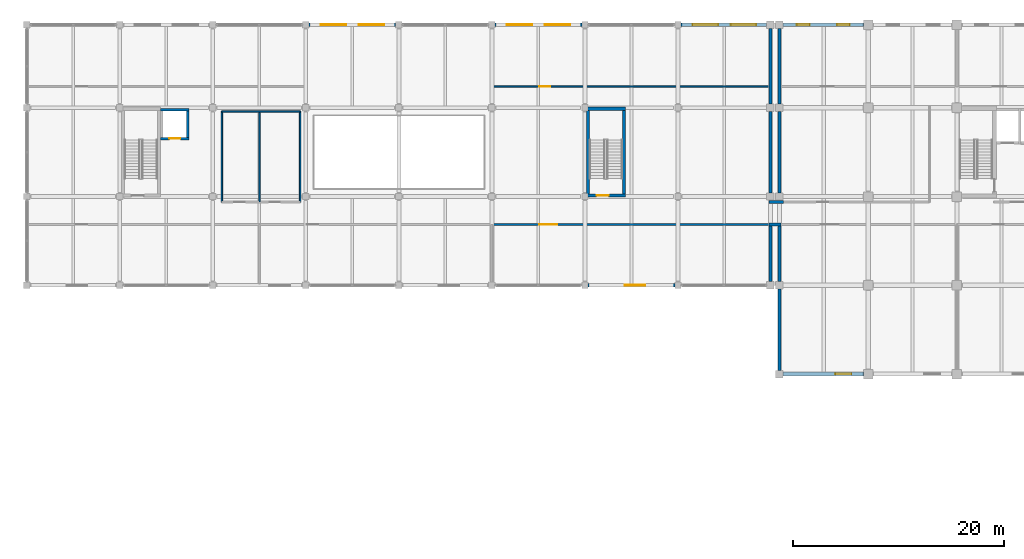
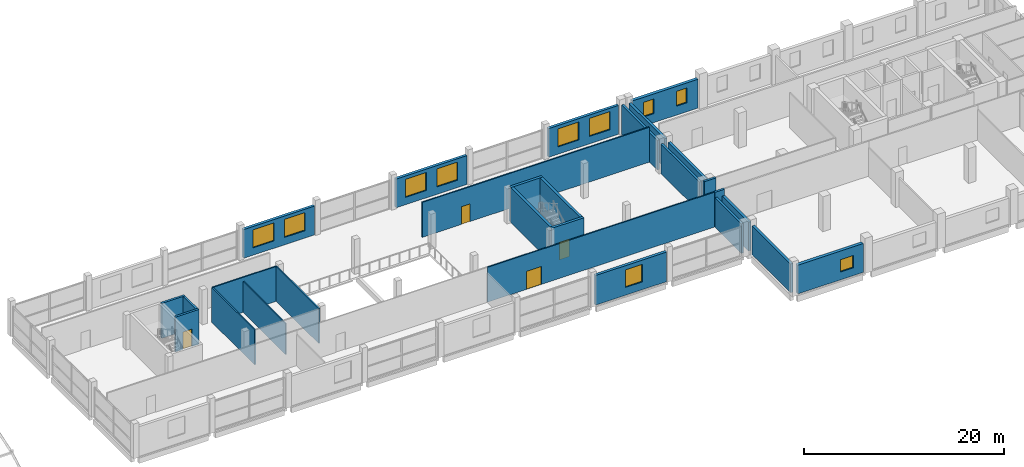
# One storey, part 30 of 38: 28 walls, 10 windows, 4 doors, 14 openings.
"""IFC4 building model written with IfcOpenShell, lengths in metres."""

from ifc_helpers import new_model, si_unit, direction, frame, frame_2d, origin, place, context, subcontext, project, spatial, rectangle, extrude, material, layer, layer_set, type_object, element, fill, save


model = new_model("IFC4")

# Units and contexts
model_context = context("Model", 3, precision=1e-05, world=origin(), true_north=direction((0.0, 1.0)))
body_context = subcontext(model_context, "Body", "Model", "MODEL_VIEW")
ifc_project = project(units=[si_unit("LENGTHUNIT", "METRE"), si_unit("AREAUNIT", "SQUARE_METRE"), si_unit("VOLUMEUNIT", "CUBIC_METRE"), si_unit("PLANEANGLEUNIT", "RADIAN"), si_unit("MASSUNIT", "GRAM", prefix="KILO")], contexts=[model_context])

# Site, building, storey
site_placement = place(None, origin())
site = spatial("IfcSite", under=ifc_project, at=site_placement, CompositionType="ELEMENT")
building_placement = place(site_placement, origin())
building = spatial("IfcBuilding", under=site, at=building_placement, Name="Brinegate Botanical Conservatory", CompositionType="ELEMENT")
storey_placement = place(building_placement, frame((0.0, 0.0, 10.199951171875)))
storey = spatial("IfcBuildingStorey", under=building, at=storey_placement, Name="L03", CompositionType="ELEMENT", Elevation=10.199951171875)

# Walls
ifc_material_1 = material(Name="Fujian grey granite ashlar masonry", Category="masonry")
ifc_layer_1 = layer(ifc_material_1, 0.239990234375, Name="Fujian grey granite ashlar masonry", Category="masonry")
ifc_layer_set_1 = layer_set([ifc_layer_1], Name="Fujian grey granite ashlar masonry")
wall_type_1 = type_object("IfcWallType", Name="Wall_EW-240A", PredefinedType="STANDARD", material=ifc_layer_set_1)
wall_1_placement = place(storey_placement, frame((122.139892578125, 92.550048828125, 0.0), z_axis=(0.0, 0.0, 1.0), x_axis=(-1.0, 0.0, 0.0)))
element("IfcWall", 1, at=wall_1_placement, inside=storey, type_object=wall_type_1, Name="Seismic-joint corridor link wall L03 S", PredefinedType="STANDARD", context=body_context, shape_type="SweptSolid", body=[
    extrude(rectangle(XDim=1.10986328125, YDim=0.239990234375, at=frame_2d((0.554931640625, 0.0))), origin(), (0.0, 0.0, 1.0), 4.260009765625),
])
wall_2_placement = place(storey_placement, frame((121.030029296875, 94.679931640625, 0.0), z_axis=(0.0, 0.0, 1.0), x_axis=(1.0, 0.0, 0.0)))
element("IfcWall", 2, at=wall_2_placement, inside=storey, type_object=wall_type_1, Name="Seismic-joint corridor link wall L03 N", PredefinedType="STANDARD", context=body_context, shape_type="SweptSolid", body=[
    extrude(rectangle(XDim=1.35986328125, YDim=0.239990234375, at=frame_2d((0.679931640625, 0.0))), origin(), (0.0, 0.0, 1.0), 4.260009765625),
])
ifc_material_2 = material(Name="Precast concrete C40/50 architectural panel", Category="concrete")
ifc_layer_2 = layer(ifc_material_2, 0.260009765625, Name="Precast concrete C40/50 architectural panel", Category="concrete")
ifc_layer_set_2 = layer_set([ifc_layer_2], Name="Precast concrete C40/50 architectural panel")
wall_type_2 = type_object("IfcWallType", Name="Wall_EW-260P", PredefinedType="STANDARD", material=ifc_layer_set_2)
wall_3_placement = place(storey_placement, frame((121.14990234375, 92.419921875, 0.0), z_axis=(0.0, 0.0, 1.0), x_axis=(0.0, -1.0, 0.0)))
element("IfcWall", 3, at=wall_3_placement, inside=storey, type_object=wall_type_2, Name="Visitor east seismic-joint closure wall L03.1", PredefinedType="STANDARD", context=body_context, shape_type="SweptSolid", body=[
    extrude(rectangle(XDim=5.27001953125, YDim=0.260009765625, at=frame_2d((2.635009765625, 0.0))), origin(), (0.0, 0.0, 1.0), 3.610107421875),
])
wall_4_placement = place(storey_placement, frame((121.14990234375, 103.25, 0.0), z_axis=(0.0, 0.0, 1.0), x_axis=(0.0, -1.0, 0.0)))
element("IfcWall", 4, at=wall_4_placement, inside=storey, type_object=wall_type_2, Name="Visitor east seismic-joint closure wall L03.3", PredefinedType="STANDARD", context=body_context, shape_type="SweptSolid", body=[
    extrude(rectangle(XDim=7.699951171875, YDim=0.260009765625, at=frame_2d((3.85009765625, 0.0))), origin(), (0.0, 0.0, 1.0), 3.610107421875),
])
wall_5_placement = place(storey_placement, frame((121.14990234375, 111.10009765625, 0.0), z_axis=(0.0, 0.0, 1.0), x_axis=(0.0, -1.0, 0.0)))
element("IfcWall", 5, at=wall_5_placement, inside=storey, type_object=wall_type_2, Name="Visitor east seismic-joint closure wall L03.4", PredefinedType="STANDARD", context=body_context, shape_type="SweptSolid", body=[
    extrude(rectangle(XDim=7.150146484375, YDim=0.260009765625, at=frame_2d((3.5751953125, 0.0))), origin(), (0.0, 0.0, 1.0), 3.610107421875),
])
ifc_material_3 = material(Name="Insulated Minnan red clay brick masonry", Category="masonry")
ifc_layer_3 = layer(ifc_material_3, 0.300048828125, Name="Insulated Minnan red clay brick masonry", Category="masonry")
ifc_layer_set_3 = layer_set([ifc_layer_3], Name="Insulated Minnan red clay brick masonry")
wall_type_3 = type_object("IfcWallType", Name="Wall_EW-300B", PredefinedType="STANDARD", material=ifc_layer_set_3)
wall_6_placement = place(storey_placement, frame((122.0, 78.75, 0.0), z_axis=(0.0, 0.0, 1.0), x_axis=(0.0, 1.0, 0.0)))
element("IfcWall", 6, at=wall_6_placement, inside=storey, type_object=wall_type_3, Name="Tower west wall L03.S1", PredefinedType="STANDARD", context=body_context, shape_type="SweptSolid", body=[
    extrude(rectangle(XDim=7.699951171875, YDim=0.300048828125, at=frame_2d((3.85009765625, 0.0))), origin(), (0.0, 0.0, 1.0), 3.510009765625),
])
wall_7_placement = place(storey_placement, frame((122.0, 87.14990234375, 0.0), z_axis=(0.0, 0.0, 1.0), x_axis=(0.0, 1.0, 0.0)))
element("IfcWall", 7, at=wall_7_placement, inside=storey, type_object=wall_type_3, Name="Tower seismic-joint west wall L03.2", PredefinedType="STANDARD", context=body_context, shape_type="SweptSolid", body=[
    extrude(rectangle(XDim=5.27001953125, YDim=0.300048828125, at=frame_2d((2.635009765625, 0.0))), origin(), (0.0, 0.0, 1.0), 3.510009765625),
])
wall_8_placement = place(storey_placement, frame((122.0, 95.550048828125, 0.0), z_axis=(0.0, 0.0, 1.0), x_axis=(0.0, 1.0, 0.0)))
element("IfcWall", 8, at=wall_8_placement, inside=storey, type_object=wall_type_3, Name="Tower mid-west wall L03", PredefinedType="STANDARD", context=body_context, shape_type="SweptSolid", body=[
    extrude(rectangle(XDim=7.699951171875, YDim=0.300048828125, at=frame_2d((3.85009765625, 0.0))), origin(), (0.0, 0.0, 1.0), 3.510009765625),
])
wall_9_placement = place(storey_placement, frame((122.0, 103.949951171875, 0.0), z_axis=(0.0, 0.0, 1.0), x_axis=(0.0, 1.0, 0.0)))
element("IfcWall", 9, at=wall_9_placement, inside=storey, type_object=wall_type_3, Name="Tower north-west seismic-joint wall L03", PredefinedType="STANDARD", context=body_context, shape_type="SweptSolid", body=[
    extrude(rectangle(XDim=7.150146484375, YDim=0.300048828125, at=frame_2d((3.5751953125, 0.0))), origin(), (0.0, 0.0, 1.0), 3.510009765625),
])

# Wall, openings, windows
ifc_layer_4 = layer(ifc_material_3, 0.320068359375, Name="Insulated Minnan red clay brick masonry", Category="masonry")
ifc_layer_set_4 = layer_set([ifc_layer_4], Name="Insulated Minnan red clay brick masonry")
wall_type_4 = type_object("IfcWallType", Name="Wall_EW-320B", PredefinedType="STANDARD", material=ifc_layer_set_4)
wall_10_placement = place(storey_placement, frame((77.5, 111.449951171875, 0.0), z_axis=(0.0, 0.0, 1.0), x_axis=(1.0, 0.0, 0.0)))
wall_10 = element("IfcWall", 10, at=wall_10_placement, inside=storey, type_object=wall_type_4, Name="Visitor north brick bay wall L03.4", PredefinedType="STANDARD", context=body_context, shape_type="SweptSolid", body=[
    extrude(rectangle(XDim=8.199951171875, YDim=0.320068359375, at=frame_2d((4.10009765625, 0.0))), origin(), (0.0, 0.0, 1.0), 3.510009765625),
])
opening_1_placement = place(wall_10_placement, frame((1.10009765625, 0.0, 0.89990234375)))
opening_1 = element("IfcOpeningElement", 11, at=opening_1_placement, cuts=wall_10, Name="Opening WN-09", PredefinedType="OPENING", context=body_context, shape_type="SweptSolid", body=[
    extrude(rectangle(XDim=2.39990234375, YDim=2.199951171875, at=frame_2d((1.199951171875, 1.10009765625))), frame((0.0, 0.169921875, 0.0), z_axis=(0.0, -1.0, 0.0), x_axis=(1.0, 0.0, 0.0)), (0.0, 0.0, 1.0), 0.340087890625),
])
opening_2_placement = place(wall_10_placement, frame((4.699951171875, 0.0, 0.89990234375)))
opening_2 = element("IfcOpeningElement", 12, at=opening_2_placement, cuts=wall_10, Name="Opening WN-09", PredefinedType="OPENING", context=body_context, shape_type="SweptSolid", body=[
    extrude(rectangle(XDim=2.39990234375, YDim=2.199951171875, at=frame_2d((1.199951171875, 1.10009765625))), frame((0.0, 0.169921875, 0.0), z_axis=(0.0, -1.0, 0.0), x_axis=(1.0, 0.0, 0.0)), (0.0, 0.0, 1.0), 0.340087890625),
])
ifc_material_4 = material(Name="Thermally broken aluminium-framed Low-E glass", Category="aluminium")
window_type_1 = type_object("IfcWindowType", Name="Win_WN-09", PartitioningType="TRIPLE_PANEL_VERTICAL", PredefinedType="WINDOW", material=ifc_material_4)
window_1_placement = place(opening_1_placement, origin())
window_1 = element("IfcWindow", 13, at=window_1_placement, inside=storey, type_object=window_type_1, Name="Visitor north window L03.4A", OverallHeight=2.199951171875, OverallWidth=2.39990234375, PartitioningType="TRIPLE_PANEL_VERTICAL", PredefinedType="WINDOW", context=body_context, shape_type="SweptSolid", body=[
    extrude(rectangle(XDim=2.39990234375, YDim=2.199951171875, at=frame_2d((1.199951171875, 1.10009765625))), frame((0.0, 0.030029296875, 0.0), z_axis=(0.0, -1.0, 0.0), x_axis=(1.0, 0.0, 0.0)), (0.0, 0.0, 1.0), 0.06005859375),
])
fill(opening_1, window_1)
window_2_placement = place(opening_2_placement, origin())
window_2 = element("IfcWindow", 14, at=window_2_placement, inside=storey, type_object=window_type_1, Name="Visitor north window L03.4B", OverallHeight=2.199951171875, OverallWidth=2.39990234375, PartitioningType="TRIPLE_PANEL_VERTICAL", PredefinedType="WINDOW", context=body_context, shape_type="SweptSolid", body=[
    extrude(rectangle(XDim=2.39990234375, YDim=2.199951171875, at=frame_2d((1.199951171875, 1.10009765625))), frame((0.0, 0.030029296875, 0.0), z_axis=(0.0, -1.0, 0.0), x_axis=(1.0, 0.0, 0.0)), (0.0, 0.0, 1.0), 0.06005859375),
])
fill(opening_2, window_2)

wall_11_placement = place(storey_placement, frame((95.10009765625, 111.449951171875, 0.0), z_axis=(0.0, 0.0, 1.0), x_axis=(1.0, 0.0, 0.0)))
wall_11 = element("IfcWall", 15, at=wall_11_placement, inside=storey, type_object=wall_type_4, Name="Visitor north brick bay wall L03.6", PredefinedType="STANDARD", context=body_context, shape_type="SweptSolid", body=[
    extrude(rectangle(XDim=8.199951171875, YDim=0.320068359375, at=frame_2d((4.10009765625, 0.0))), origin(), (0.0, 0.0, 1.0), 3.510009765625),
])
opening_3_placement = place(wall_11_placement, frame((1.10009765625, 0.0, 0.89990234375)))
opening_3 = element("IfcOpeningElement", 16, at=opening_3_placement, cuts=wall_11, Name="Opening WN-09", PredefinedType="OPENING", context=body_context, shape_type="SweptSolid", body=[
    extrude(rectangle(XDim=2.39990234375, YDim=2.199951171875, at=frame_2d((1.199951171875, 1.10009765625))), frame((0.0, 0.169921875, 0.0), z_axis=(0.0, -1.0, 0.0), x_axis=(1.0, 0.0, 0.0)), (0.0, 0.0, 1.0), 0.340087890625),
])
opening_4_placement = place(wall_11_placement, frame((4.699951171875, 0.0, 0.89990234375)))
opening_4 = element("IfcOpeningElement", 17, at=opening_4_placement, cuts=wall_11, Name="Opening WN-09", PredefinedType="OPENING", context=body_context, shape_type="SweptSolid", body=[
    extrude(rectangle(XDim=2.39990234375, YDim=2.199951171875, at=frame_2d((1.199951171875, 1.10009765625))), frame((0.0, 0.169921875, 0.0), z_axis=(0.0, -1.0, 0.0), x_axis=(1.0, 0.0, 0.0)), (0.0, 0.0, 1.0), 0.340087890625),
])
window_3_placement = place(opening_3_placement, origin())
window_3 = element("IfcWindow", 18, at=window_3_placement, inside=storey, type_object=window_type_1, Name="Visitor north window L03.6A", OverallHeight=2.199951171875, OverallWidth=2.39990234375, PartitioningType="TRIPLE_PANEL_VERTICAL", PredefinedType="WINDOW", context=body_context, shape_type="SweptSolid", body=[
    extrude(rectangle(XDim=2.39990234375, YDim=2.199951171875, at=frame_2d((1.199951171875, 1.10009765625))), frame((0.0, 0.030029296875, 0.0), z_axis=(0.0, -1.0, 0.0), x_axis=(1.0, 0.0, 0.0)), (0.0, 0.0, 1.0), 0.06005859375),
])
fill(opening_3, window_3)
window_4_placement = place(opening_4_placement, origin())
window_4 = element("IfcWindow", 19, at=window_4_placement, inside=storey, type_object=window_type_1, Name="Visitor north window L03.6B", OverallHeight=2.199951171875, OverallWidth=2.39990234375, PartitioningType="TRIPLE_PANEL_VERTICAL", PredefinedType="WINDOW", context=body_context, shape_type="SweptSolid", body=[
    extrude(rectangle(XDim=2.39990234375, YDim=2.199951171875, at=frame_2d((1.199951171875, 1.10009765625))), frame((0.0, 0.030029296875, 0.0), z_axis=(0.0, -1.0, 0.0), x_axis=(1.0, 0.0, 0.0)), (0.0, 0.0, 1.0), 0.06005859375),
])
fill(opening_4, window_4)

# Wall, opening, window
wall_12_placement = place(storey_placement, frame((112.10009765625, 86.800048828125, 0.0), z_axis=(0.0, 0.0, 1.0), x_axis=(-1.0, 0.0, 0.0)))
wall_12 = element("IfcWall", 20, at=wall_12_placement, inside=storey, type_object=wall_type_4, Name="Visitor south brick wall L03.7", PredefinedType="STANDARD", context=body_context, shape_type="SweptSolid", body=[
    extrude(rectangle(XDim=8.2001953125, YDim=0.320068359375, at=frame_2d((4.10009765625, 0.0))), origin(), (0.0, 0.0, 1.0), 3.610107421875),
])
opening_5_placement = place(wall_12_placement, frame((2.800048828125, 0.0, 0.949951171875)))
opening_5 = element("IfcOpeningElement", 21, at=opening_5_placement, cuts=wall_12, Name="Opening WN-29", PredefinedType="OPENING", context=body_context, shape_type="SweptSolid", body=[
    extrude(rectangle(XDim=1.949951171875, YDim=2.14990234375, at=frame_2d((0.97509765625, 1.074951171875))), frame((0.0, 0.169921875, 0.0), z_axis=(0.0, -1.0, 0.0), x_axis=(1.0, 0.0, 0.0)), (0.0, 0.0, 1.0), 0.340087890625),
])
window_type_2 = type_object("IfcWindowType", Name="Win_WN-29", PartitioningType="DOUBLE_PANEL_VERTICAL", PredefinedType="WINDOW", material=ifc_material_4)
window_5_placement = place(opening_5_placement, origin())
window_5 = element("IfcWindow", 22, at=window_5_placement, inside=storey, type_object=window_type_2, Name="Visitor south court window L03.7", OverallHeight=2.14990234375, OverallWidth=1.949951171875, PartitioningType="DOUBLE_PANEL_VERTICAL", PredefinedType="WINDOW", context=body_context, shape_type="SweptSolid", body=[
    extrude(rectangle(XDim=1.949951171875, YDim=2.14990234375, at=frame_2d((0.97509765625, 1.074951171875))), frame((0.0, 0.030029296875, 0.0), z_axis=(0.0, -1.0, 0.0), x_axis=(1.0, 0.0, 0.0)), (0.0, 0.0, 1.0), 0.06005859375),
])
fill(opening_5, window_5)

# Wall, openings, windows
wall_13_placement = place(storey_placement, frame((112.699951171875, 111.449951171875, 0.0), z_axis=(0.0, 0.0, 1.0), x_axis=(1.0, 0.0, 0.0)))
wall_13 = element("IfcWall", 23, at=wall_13_placement, inside=storey, type_object=wall_type_4, Name="Visitor north brick bay wall L03.8", PredefinedType="STANDARD", context=body_context, shape_type="SweptSolid", body=[
    extrude(rectangle(XDim=8.10009765625, YDim=0.320068359375, at=frame_2d((4.050048828125, 0.0))), origin(), (0.0, 0.0, 1.0), 3.510009765625),
])
opening_6_placement = place(wall_13_placement, frame((1.10009765625, 0.0, 0.89990234375)))
opening_6 = element("IfcOpeningElement", 24, at=opening_6_placement, cuts=wall_13, Name="Opening WN-09", PredefinedType="OPENING", context=body_context, shape_type="SweptSolid", body=[
    extrude(rectangle(XDim=2.39990234375, YDim=2.199951171875, at=frame_2d((1.199951171875, 1.10009765625))), frame((0.0, 0.169921875, 0.0), z_axis=(0.0, -1.0, 0.0), x_axis=(1.0, 0.0, 0.0)), (0.0, 0.0, 1.0), 0.340087890625),
])
opening_7_placement = place(wall_13_placement, frame((4.699951171875, 0.0, 0.89990234375)))
opening_7 = element("IfcOpeningElement", 25, at=opening_7_placement, cuts=wall_13, Name="Opening WN-09", PredefinedType="OPENING", context=body_context, shape_type="SweptSolid", body=[
    extrude(rectangle(XDim=2.39990234375, YDim=2.199951171875, at=frame_2d((1.199951171875, 1.10009765625))), frame((0.0, 0.169921875, 0.0), z_axis=(0.0, -1.0, 0.0), x_axis=(1.0, 0.0, 0.0)), (0.0, 0.0, 1.0), 0.340087890625),
])
window_6_placement = place(opening_6_placement, origin())
window_6 = element("IfcWindow", 26, at=window_6_placement, inside=storey, type_object=window_type_1, Name="Visitor north window L03.8A", OverallHeight=2.199951171875, OverallWidth=2.39990234375, PartitioningType="TRIPLE_PANEL_VERTICAL", PredefinedType="WINDOW", context=body_context, shape_type="SweptSolid", body=[
    extrude(rectangle(XDim=2.39990234375, YDim=2.199951171875, at=frame_2d((1.199951171875, 1.10009765625))), frame((0.0, 0.030029296875, 0.0), z_axis=(0.0, -1.0, 0.0), x_axis=(1.0, 0.0, 0.0)), (0.0, 0.0, 1.0), 0.06005859375),
])
fill(opening_6, window_6)
window_7_placement = place(opening_7_placement, origin())
window_7 = element("IfcWindow", 27, at=window_7_placement, inside=storey, type_object=window_type_1, Name="Visitor north window L03.8B", OverallHeight=2.199951171875, OverallWidth=2.39990234375, PartitioningType="TRIPLE_PANEL_VERTICAL", PredefinedType="WINDOW", context=body_context, shape_type="SweptSolid", body=[
    extrude(rectangle(XDim=2.39990234375, YDim=2.199951171875, at=frame_2d((1.199951171875, 1.10009765625))), frame((0.0, 0.030029296875, 0.0), z_axis=(0.0, -1.0, 0.0), x_axis=(1.0, 0.0, 0.0)), (0.0, 0.0, 1.0), 0.06005859375),
])
fill(opening_7, window_7)

ifc_layer_5 = layer(ifc_material_3, 0.360107421875, Name="Insulated Minnan red clay brick masonry", Category="masonry")
ifc_layer_set_5 = layer_set([ifc_layer_5], Name="Insulated Minnan red clay brick masonry")
wall_type_5 = type_object("IfcWallType", Name="Wall_EW-360B", PredefinedType="STANDARD", material=ifc_layer_set_5)
wall_14_placement = place(storey_placement, frame((122.35009765625, 111.449951171875, 0.0), z_axis=(0.0, 0.0, 1.0), x_axis=(1.0, 0.0, 0.0)))
wall_14 = element("IfcWall", 28, at=wall_14_placement, inside=storey, type_object=wall_type_5, Name="Herbarium north insulated red-brick wall L03.1", PredefinedType="STANDARD", context=body_context, shape_type="SweptSolid", body=[
    extrude(rectangle(XDim=7.599853515625, YDim=0.360107421875, at=frame_2d((3.7998046875, 0.0))), origin(), (0.0, 0.0, 1.0), 3.510009765625),
])
opening_8_placement = place(wall_14_placement, frame((1.300048828125, 0.0, 1.10009765625)))
opening_8 = element("IfcOpeningElement", 29, at=opening_8_placement, cuts=wall_14, Name="Opening WN-06", PredefinedType="OPENING", context=body_context, shape_type="SweptSolid", body=[
    extrude(rectangle(XDim=1.199951171875, YDim=1.800048828125, at=frame_2d((0.60009765625, 0.89990234375))), frame((0.0, 0.18994140625, 0.0), z_axis=(0.0, -1.0, 0.0), x_axis=(1.0, 0.0, 0.0)), (0.0, 0.0, 1.0), 0.380126953125),
])
opening_9_placement = place(wall_14_placement, frame((5.10009765625, 0.0, 1.10009765625)))
opening_9 = element("IfcOpeningElement", 30, at=opening_9_placement, cuts=wall_14, Name="Opening WN-06", PredefinedType="OPENING", context=body_context, shape_type="SweptSolid", body=[
    extrude(rectangle(XDim=1.199951171875, YDim=1.800048828125, at=frame_2d((0.60009765625, 0.89990234375))), frame((0.0, 0.18994140625, 0.0), z_axis=(0.0, -1.0, 0.0), x_axis=(1.0, 0.0, 0.0)), (0.0, 0.0, 1.0), 0.380126953125),
])
window_type_3 = type_object("IfcWindowType", Name="Win_WN-06", PartitioningType="SINGLE_PANEL", PredefinedType="WINDOW", material=ifc_material_4)
window_8_placement = place(opening_8_placement, origin())
window_8 = element("IfcWindow", 31, at=window_8_placement, inside=storey, type_object=window_type_3, Name="Herbarium north UV-filtered window L03.1A", OverallHeight=1.800048828125, OverallWidth=1.199951171875, PartitioningType="SINGLE_PANEL", PredefinedType="WINDOW", context=body_context, shape_type="SweptSolid", body=[
    extrude(rectangle(XDim=1.199951171875, YDim=1.800048828125, at=frame_2d((0.60009765625, 0.89990234375))), frame((0.0, 0.030029296875, 0.0), z_axis=(0.0, -1.0, 0.0), x_axis=(1.0, 0.0, 0.0)), (0.0, 0.0, 1.0), 0.06005859375),
])
fill(opening_8, window_8)
window_9_placement = place(opening_9_placement, origin())
window_9 = element("IfcWindow", 32, at=window_9_placement, inside=storey, type_object=window_type_3, Name="Herbarium north UV-filtered window L03.1B", OverallHeight=1.800048828125, OverallWidth=1.199951171875, PartitioningType="SINGLE_PANEL", PredefinedType="WINDOW", context=body_context, shape_type="SweptSolid", body=[
    extrude(rectangle(XDim=1.199951171875, YDim=1.800048828125, at=frame_2d((0.60009765625, 0.89990234375))), frame((0.0, 0.030029296875, 0.0), z_axis=(0.0, -1.0, 0.0), x_axis=(1.0, 0.0, 0.0)), (0.0, 0.0, 1.0), 0.06005859375),
])
fill(opening_9, window_9)

# Wall, opening, window
wall_15_placement = place(storey_placement, frame((129.949951171875, 78.39990234375, 0.0), z_axis=(0.0, 0.0, 1.0), x_axis=(-1.0, 0.0, 0.0)))
wall_15 = element("IfcWall", 33, at=wall_15_placement, inside=storey, type_object=wall_type_5, Name="Tower south facade wall L03.1", PredefinedType="STANDARD", context=body_context, shape_type="SweptSolid", body=[
    extrude(rectangle(XDim=7.599853515625, YDim=0.360107421875, at=frame_2d((3.7998046875, 0.0))), origin(), (0.0, 0.0, 1.0), 3.510009765625),
])
opening_10_placement = place(wall_15_placement, frame((1.14990234375, 0.0, 0.949951171875)))
opening_10 = element("IfcOpeningElement", 34, at=opening_10_placement, cuts=wall_15, Name="Opening WN-08", PredefinedType="OPENING", context=body_context, shape_type="SweptSolid", body=[
    extrude(rectangle(XDim=1.5, YDim=1.5, at=frame_2d((0.75, 0.75))), frame((0.0, 0.18994140625, 0.0), z_axis=(0.0, -1.0, 0.0), x_axis=(1.0, 0.0, 0.0)), (0.0, 0.0, 1.0), 0.380126953125),
])
window_type_4 = type_object("IfcWindowType", Name="Win_WN-08", PartitioningType="DOUBLE_PANEL_VERTICAL", PredefinedType="WINDOW", material=ifc_material_4)
window_10_placement = place(opening_10_placement, origin())
window_10 = element("IfcWindow", 35, at=window_10_placement, inside=storey, type_object=window_type_4, Name="Tower south window L03.1", OverallHeight=1.5, OverallWidth=1.5, PartitioningType="DOUBLE_PANEL_VERTICAL", PredefinedType="WINDOW", context=body_context, shape_type="SweptSolid", body=[
    extrude(rectangle(XDim=1.5, YDim=1.5, at=frame_2d((0.75, 0.75))), frame((0.0, 0.030029296875, 0.0), z_axis=(0.0, -1.0, 0.0), x_axis=(1.0, 0.0, 0.0)), (0.0, 0.0, 1.0), 0.06005859375),
])
fill(opening_10, window_10)

# Wall
ifc_material_5 = material(Name="Gypsum-clad steel-stud partition", Category="steel")
ifc_layer_6 = layer(ifc_material_5, 0.135009765625, Name="Gypsum-clad steel-stud partition", Category="steel")
ifc_layer_set_6 = layer_set([ifc_layer_6], Name="Gypsum-clad steel-stud partition")
wall_type_6 = type_object("IfcWallType", Name="Wall_PW-135", PredefinedType="PARTITIONING", material=ifc_layer_set_6)
wall_16_placement = place(storey_placement, frame((72.820068359375, 94.679931640625, 0.0), z_axis=(0.0, 0.0, 1.0), x_axis=(0.0, 1.0, 0.0)))
element("IfcWall", 36, at=wall_16_placement, inside=storey, type_object=wall_type_6, Name="Interior partition P-L03-V3-WCD", PredefinedType="PARTITIONING", context=body_context, shape_type="SweptSolid", body=[
    extrude(rectangle(XDim=8.570068359375, YDim=0.135009765625, at=frame_2d((4.28515625, 0.0))), origin(), (0.0, 0.0, 1.0), 3.760009765625),
])

# Wall, opening, door
ifc_material_6 = material(Name="Gypsum-clad acoustic steel-stud partition", Category="steel")
ifc_layer_7 = layer(ifc_material_6, 0.14501953125, Name="Gypsum-clad acoustic steel-stud partition", Category="steel")
ifc_layer_set_7 = layer_set([ifc_layer_7], Name="Gypsum-clad acoustic steel-stud partition")
wall_type_7 = type_object("IfcWallType", Name="Wall_PW-150", PredefinedType="PARTITIONING", material=ifc_layer_set_7)
wall_17_placement = place(storey_placement, frame((94.800048828125, 92.550048828125, 0.0), z_axis=(0.0, 0.0, 1.0), x_axis=(1.0, 0.0, 0.0)))
wall_17 = element("IfcWall", 37, at=wall_17_placement, inside=storey, type_object=wall_type_7, Name="Interior partition P-L03-V3-CLS3", PredefinedType="PARTITIONING", context=body_context, shape_type="SweptSolid", body=[
    extrude(rectangle(XDim=26.219970703125, YDim=0.14501953125, at=frame_2d((13.10986328125, 0.0))), origin(), (0.0, 0.0, 1.0), 4.260009765625),
])
opening_11_placement = place(wall_17_placement, frame((4.5, 0.0, 0.0)))
opening_11 = element("IfcOpeningElement", 38, at=opening_11_placement, cuts=wall_17, Name="Opening DR-DBL2", PredefinedType="OPENING", context=body_context, shape_type="SweptSolid", body=[
    extrude(rectangle(XDim=1.699951171875, YDim=2.199951171875, at=frame_2d((0.85009765625, 1.10009765625))), frame((0.0, 0.08251953125, 0.0), z_axis=(0.0, -1.0, 0.0), x_axis=(1.0, 0.0, 0.0)), (0.0, 0.0, 1.0), 0.1650390625),
])
ifc_material_7 = material(Name="Powder-coated steel laboratory double door", Category="steel")
door_type_1 = type_object("IfcDoorType", Name="Door_DR-DBL2", OperationType="NOTDEFINED", PredefinedType="DOOR", material=ifc_material_7)
door_1_placement = place(opening_11_placement, origin())
door_1 = element("IfcDoor", 39, at=door_1_placement, inside=storey, type_object=door_type_1, Name="DR-P-L03-V3-CLS3-1", OperationType="SINGLE_SWING_LEFT", OverallHeight=2.199951171875, OverallWidth=1.699951171875, PredefinedType="DOOR", context=body_context, shape_type="SweptSolid", body=[
    extrude(rectangle(XDim=1.699951171875, YDim=2.199951171875, at=frame_2d((0.85009765625, 1.10009765625))), frame((0.0, 0.02490234375, 0.0), z_axis=(0.0, -1.0, 0.0), x_axis=(1.0, 0.0, 0.0)), (0.0, 0.0, 1.0), 0.050048828125),
])
fill(opening_11, door_1)

wall_18_placement = place(storey_placement, frame((94.800048828125, 105.60009765625, 0.0), z_axis=(0.0, 0.0, 1.0), x_axis=(1.0, 0.0, 0.0)))
wall_18 = element("IfcWall", 40, at=wall_18_placement, inside=storey, type_object=wall_type_7, Name="Interior partition P-L03-V3-TEACH", PredefinedType="PARTITIONING", context=body_context, shape_type="SweptSolid", body=[
    extrude(rectangle(XDim=26.219970703125, YDim=0.14501953125, at=frame_2d((13.10986328125, 0.0))), origin(), (0.0, 0.0, 1.0), 4.260009765625),
])
opening_12_placement = place(wall_18_placement, frame((4.5, 0.0, 0.0)))
opening_12 = element("IfcOpeningElement", 41, at=opening_12_placement, cuts=wall_18, Name="Opening DR-02", PredefinedType="OPENING", context=body_context, shape_type="SweptSolid", body=[
    extrude(rectangle(XDim=1.02001953125, YDim=2.14990234375, at=frame_2d((0.510009765625, 1.074951171875))), frame((0.0, 0.08251953125, 0.0), z_axis=(0.0, -1.0, 0.0), x_axis=(1.0, 0.0, 0.0)), (0.0, 0.0, 1.0), 0.1650390625),
])
ifc_material_8 = material(Name="Phenolic-faced laboratory timber leaf", Category="wood")
door_type_2 = type_object("IfcDoorType", Name="Door_DR-02", OperationType="NOTDEFINED", PredefinedType="DOOR", material=ifc_material_8)
door_2_placement = place(opening_12_placement, origin())
door_2 = element("IfcDoor", 42, at=door_2_placement, inside=storey, type_object=door_type_2, Name="DR-P-L03-V3-TEACH-1", OperationType="SINGLE_SWING_RIGHT", OverallHeight=2.14990234375, OverallWidth=1.02001953125, PredefinedType="DOOR", context=body_context, shape_type="SweptSolid", body=[
    extrude(rectangle(XDim=1.02001953125, YDim=2.14990234375, at=frame_2d((0.510009765625, 1.074951171875))), frame((0.0, 0.02490234375, 0.0), z_axis=(0.0, -1.0, 0.0), x_axis=(1.0, 0.0, 0.0)), (0.0, 0.0, 1.0), 0.050048828125),
])
fill(opening_12, door_2)

# Walls
ifc_material_9 = material(Name="Moisture-resistant cement-board partition", Category="gypsum")
ifc_layer_8 = layer(ifc_material_9, 0.14990234375, Name="Moisture-resistant cement-board partition", Category="gypsum")
ifc_layer_set_8 = layer_set([ifc_layer_8], Name="Moisture-resistant cement-board partition")
wall_type_8 = type_object("IfcWallType", Name="Wall_PW-150W", PredefinedType="PARTITIONING", material=ifc_layer_set_8)
wall_19_placement = place(storey_placement, frame((69.25, 94.679931640625, 0.0), z_axis=(0.0, 0.0, 1.0), x_axis=(0.0, 1.0, 0.0)))
element("IfcWall", 43, at=wall_19_placement, inside=storey, type_object=wall_type_8, Name="Interior partition P-L03-V3-WCW", PredefinedType="PARTITIONING", context=body_context, shape_type="SweptSolid", body=[
    extrude(rectangle(XDim=8.570068359375, YDim=0.14990234375, at=frame_2d((4.28515625, 0.0))), origin(), (0.0, 0.0, 1.0), 4.260009765625),
])
wall_20_placement = place(storey_placement, frame((69.25, 103.25, 0.0), z_axis=(0.0, 0.0, 1.0), x_axis=(1.0, 0.0, 0.0)))
element("IfcWall", 44, at=wall_20_placement, inside=storey, type_object=wall_type_8, Name="Interior partition P-L03-V3-WCN", PredefinedType="PARTITIONING", context=body_context, shape_type="SweptSolid", body=[
    extrude(rectangle(XDim=7.39990234375, YDim=0.14990234375, at=frame_2d((3.699951171875, 0.0))), origin(), (0.0, 0.0, 1.0), 4.260009765625),
])
wall_21_placement = place(storey_placement, frame((76.64990234375, 94.679931640625, 0.0), z_axis=(0.0, 0.0, 1.0), x_axis=(0.0, 1.0, 0.0)))
element("IfcWall", 45, at=wall_21_placement, inside=storey, type_object=wall_type_8, Name="Interior partition P-L03-V3-WCE", PredefinedType="PARTITIONING", context=body_context, shape_type="SweptSolid", body=[
    extrude(rectangle(XDim=8.570068359375, YDim=0.14990234375, at=frame_2d((4.28515625, 0.0))), origin(), (0.0, 0.0, 1.0), 4.260009765625),
])

# Wall, opening, door
ifc_material_10 = material(Name="Concrete C40/50", Category="concrete")
ifc_layer_9 = layer(ifc_material_10, 0.25, Name="Concrete C40/50", Category="concrete")
ifc_layer_set_9 = layer_set([ifc_layer_9], Name="Concrete C40/50")
wall_type_9 = type_object("IfcWallType", Name="Wall_SW-250", PredefinedType="SHEAR", material=ifc_layer_set_9)
wall_22_placement = place(storey_placement, frame((63.449951171875, 100.675048828125, 0.0), z_axis=(0.0, 0.0, 1.0), x_axis=(1.0, 0.0, 0.0)))
wall_22 = element("IfcWall", 46, at=wall_22_placement, inside=storey, type_object=wall_type_9, Name="Lift shaft LF5 shear wall L03 S", PredefinedType="SHEAR", context=body_context, shape_type="SweptSolid", body=[
    extrude(rectangle(XDim=2.699951171875, YDim=0.25, at=frame_2d((1.35009765625, 0.0))), origin(), (0.0, 0.0, 1.0), 4.260009765625),
])
opening_13_placement = place(wall_22_placement, frame((0.830078125, 0.0, 0.0)))
opening_13 = element("IfcOpeningElement", 47, at=opening_13_placement, cuts=wall_22, Name="Opening LD-05", PredefinedType="OPENING", context=body_context, shape_type="SweptSolid", body=[
    extrude(rectangle(XDim=1.0400390625, YDim=2.14990234375, at=frame_2d((0.52001953125, 1.074951171875))), frame((0.0, 0.135009765625, 0.0), z_axis=(0.0, -1.0, 0.0), x_axis=(1.0, 0.0, 0.0)), (0.0, 0.0, 1.0), 0.27001953125),
])
ifc_material_11 = material(Name="Brushed stainless steel S355 landing door", Category="steel")
door_type_3 = type_object("IfcDoorType", Name="Door_LD-05", OperationType="SLIDING_TO_LEFT", PredefinedType="DOOR", material=ifc_material_11)
door_3_placement = place(opening_13_placement, origin())
door_3 = element("IfcDoor", 48, at=door_3_placement, inside=storey, type_object=door_type_3, Name="LD-LF5-L03", OperationType="SLIDING_TO_LEFT", OverallHeight=2.14990234375, OverallWidth=1.0400390625, PredefinedType="DOOR", context=body_context, shape_type="SweptSolid", body=[
    extrude(rectangle(XDim=1.0400390625, YDim=2.14990234375, at=frame_2d((0.52001953125, 1.074951171875))), frame((0.0, 0.02490234375, 0.0), z_axis=(0.0, -1.0, 0.0), x_axis=(1.0, 0.0, 0.0)), (0.0, 0.0, 1.0), 0.050048828125),
])
fill(opening_13, door_3)

# Walls
wall_23_placement = place(storey_placement, frame((63.449951171875, 103.425048828125, 0.0), z_axis=(0.0, 0.0, 1.0), x_axis=(1.0, 0.0, 0.0)))
element("IfcWall", 49, at=wall_23_placement, inside=storey, type_object=wall_type_9, Name="Lift shaft LF5 shear wall L03 N", PredefinedType="SHEAR", context=body_context, shape_type="SweptSolid", body=[
    extrude(rectangle(XDim=2.699951171875, YDim=0.25, at=frame_2d((1.35009765625, 0.0))), origin(), (0.0, 0.0, 1.0), 4.260009765625),
])
wall_24_placement = place(storey_placement, frame((66.02490234375, 100.800048828125, 0.0), z_axis=(0.0, 0.0, 1.0), x_axis=(0.0, 1.0, 0.0)))
element("IfcWall", 50, at=wall_24_placement, inside=storey, type_object=wall_type_9, Name="Lift shaft LF5 shear wall L03 E", PredefinedType="SHEAR", context=body_context, shape_type="SweptSolid", body=[
    extrude(rectangle(XDim=2.5, YDim=0.25, at=frame_2d((1.25, 0.0))), origin(), (0.0, 0.0, 1.0), 4.260009765625),
])

# Wall, opening, door
ifc_layer_10 = layer(ifc_material_10, 0.300048828125, Name="Concrete C40/50", Category="concrete")
ifc_layer_set_10 = layer_set([ifc_layer_10], Name="Concrete C40/50")
wall_type_10 = type_object("IfcWallType", Name="Wall_SW-300", PredefinedType="SHEAR", material=ifc_layer_set_10)
wall_25_placement = place(storey_placement, frame((103.75, 95.300048828125, 0.0), z_axis=(0.0, 0.0, 1.0), x_axis=(1.0, 0.0, 0.0)))
wall_25 = element("IfcWall", 51, at=wall_25_placement, inside=storey, type_object=wall_type_10, Name="Stairwell ST4 shear wall L03 S", PredefinedType="SHEAR", context=body_context, shape_type="SweptSolid", body=[
    extrude(rectangle(XDim=3.699951171875, YDim=0.300048828125, at=frame_2d((1.85009765625, 0.0))), origin(), (0.0, 0.0, 1.0), 4.260009765625),
])
opening_14_placement = place(wall_25_placement, frame((0.949951171875, 0.0, 0.0)))
opening_14 = element("IfcOpeningElement", 52, at=opening_14_placement, cuts=wall_25, Name="Opening FD-B3", PredefinedType="OPENING", context=body_context, shape_type="SweptSolid", body=[
    extrude(rectangle(XDim=1.14990234375, YDim=2.14990234375, at=frame_2d((0.574951171875, 1.074951171875))), frame((0.0, 0.159912109375, 0.0), z_axis=(0.0, -1.0, 0.0), x_axis=(1.0, 0.0, 0.0)), (0.0, 0.0, 1.0), 0.320068359375),
])
ifc_material_12 = material(Name="Steel stairwell fire door", Category="steel")
door_type_4 = type_object("IfcDoorType", Name="Door_FD-B3", OperationType="NOTDEFINED", PredefinedType="DOOR", material=ifc_material_12)
door_4_placement = place(opening_14_placement, origin())
door_4 = element("IfcDoor", 53, at=door_4_placement, inside=storey, type_object=door_type_4, Name="DR-ST-ST4-L03", OperationType="SINGLE_SWING_LEFT", OverallHeight=2.14990234375, OverallWidth=1.14990234375, PredefinedType="DOOR", context=body_context, shape_type="SweptSolid", body=[
    extrude(rectangle(XDim=1.14990234375, YDim=2.14990234375, at=frame_2d((0.574951171875, 1.074951171875))), frame((0.0, 0.02490234375, 0.0), z_axis=(0.0, -1.0, 0.0), x_axis=(1.0, 0.0, 0.0)), (0.0, 0.0, 1.0), 0.050048828125),
])
fill(opening_14, door_4)

# Walls
wall_26_placement = place(storey_placement, frame((103.75, 103.5, 0.0), z_axis=(0.0, 0.0, 1.0), x_axis=(1.0, 0.0, 0.0)))
element("IfcWall", 54, at=wall_26_placement, inside=storey, type_object=wall_type_10, Name="Stairwell ST4 shear wall L03 N", PredefinedType="SHEAR", context=body_context, shape_type="SweptSolid", body=[
    extrude(rectangle(XDim=3.699951171875, YDim=0.300048828125, at=frame_2d((1.85009765625, 0.0))), origin(), (0.0, 0.0, 1.0), 4.260009765625),
])
for number, where, z_axis, x_axis, name in (
    (55, (103.89990234375, 95.449951171875, 0.0), (0.0, 0.0, 1.0), (0.0, 1.0, 0.0), "Stairwell ST4 shear wall L03 W"),
    (56, (107.300048828125, 95.449951171875, 0.0), (0.0, 0.0, 1.0), (0.0, 1.0, 0.0), "Stairwell ST4 shear wall L03 E"),
):
    element("IfcWall", number, at=place(storey_placement, frame(where, z_axis=z_axis, x_axis=x_axis)), inside=storey, type_object=wall_type_10, Name=name, PredefinedType="SHEAR", context=body_context, shape_type="SweptSolid", body=[
        extrude(rectangle(XDim=7.900146484375, YDim=0.300048828125, at=frame_2d((3.9501953125, 0.0))), origin(), (0.0, 0.0, 1.0), 4.260009765625),
    ])

save(model, "model.ifc")
